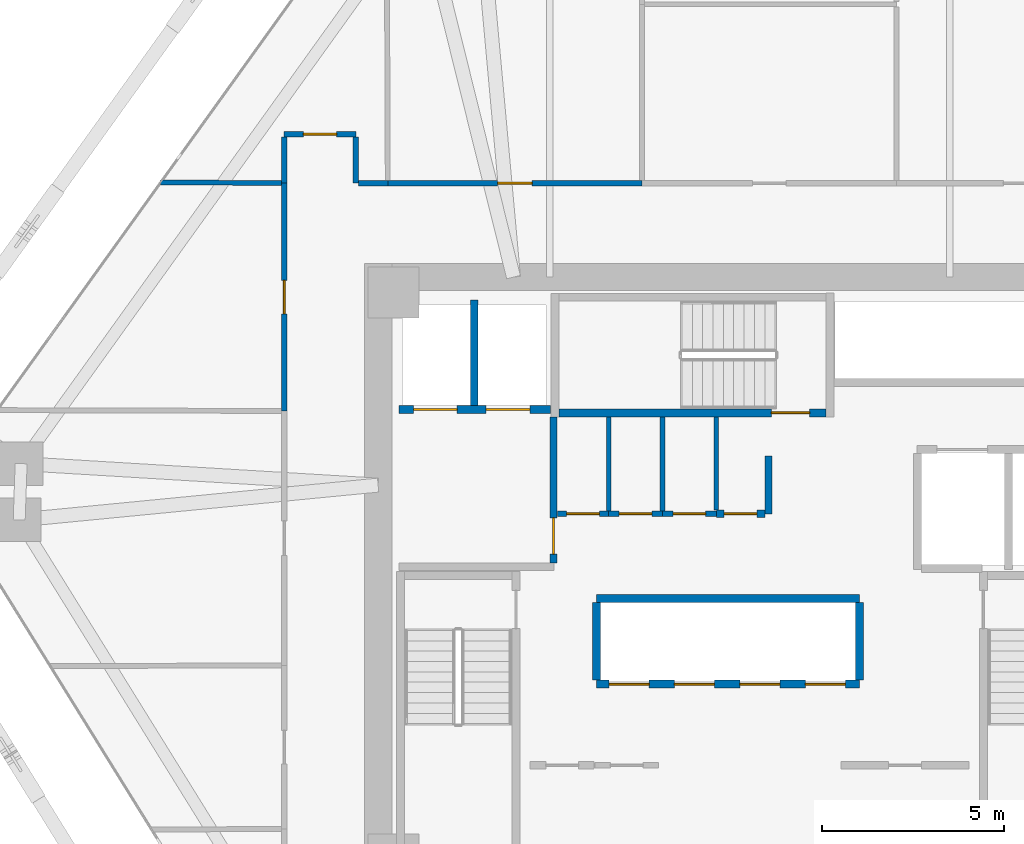
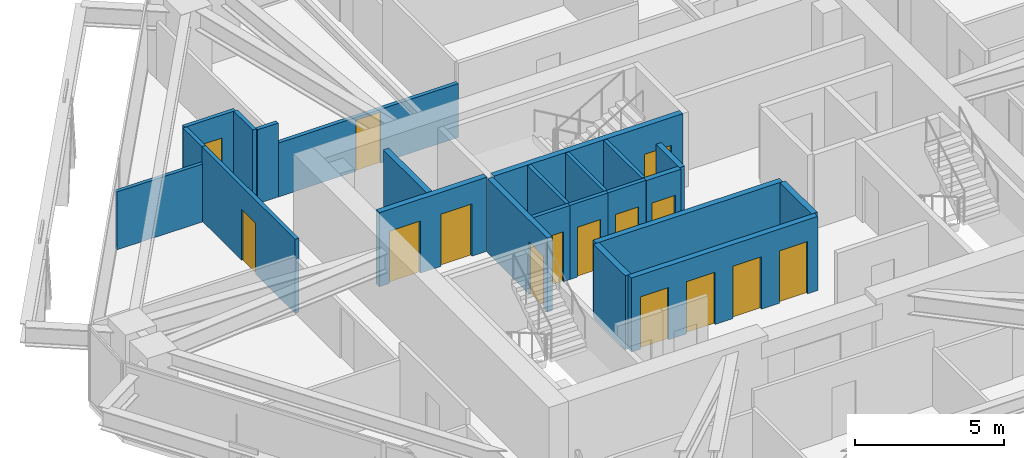
# One storey, part 13 of 16: 23 walls, 15 doors, 15 openings.
"""IFC4 building model written with IfcOpenShell, lengths in metres."""

from ifc_helpers import new_model, si_unit, direction, frame, frame_2d, origin, place, context, subcontext, project, spatial, rectangle, extrude, source, transform, mapped, material, layer, layer_set, type_object, type_shapes, element, fill, save


model = new_model("IFC4")

# Units and contexts
model_context = context("Model", 3, precision=1e-05, world=origin(), true_north=direction((0.0, 1.0)))
body_context = subcontext(model_context, "Body", "Model", "MODEL_VIEW")
ifc_project = project(units=[si_unit("LENGTHUNIT", "METRE"), si_unit("AREAUNIT", "SQUARE_METRE"), si_unit("VOLUMEUNIT", "CUBIC_METRE"), si_unit("PLANEANGLEUNIT", "RADIAN"), si_unit("MASSUNIT", "GRAM", prefix="KILO")], contexts=[model_context])

# Site, building, storey
site_placement = place(None, origin())
site = spatial("IfcSite", under=ifc_project, at=site_placement, CompositionType="ELEMENT")
building_placement = place(site_placement, origin())
building = spatial("IfcBuilding", under=site, at=building_placement, Name="Durnholm Broadcast Tower", CompositionType="ELEMENT")
storey_placement = place(building_placement, frame((0.0, 0.0, 110.699951171875)))
storey = spatial("IfcBuildingStorey", under=building, at=storey_placement, Name="L29", CompositionType="ELEMENT", Elevation=110.699951171875)

# Wall, opening, door
ifc_material_1 = material(Name="Fire-Rated Gypsum Shaftwall", Category="concrete")
ifc_layer_1 = layer(ifc_material_1, 0.199951171875)
ifc_layer_set_1 = layer_set([ifc_layer_1], Name="Fire-Rated Gypsum Shaftwall")
wall_type_1 = type_object("IfcWallType", Name="WALL-LOB-200", PredefinedType="SOLIDWALL", material=ifc_layer_set_1)
wall_1_placement = place(storey_placement, frame((-5.39990234375, 0.35400390625, 0.0), z_axis=(0.0, 0.0, 1.0), x_axis=(0.0, 1.0, 0.0)))
wall_1 = element("IfcWall", 1, at=wall_1_placement, inside=storey, type_object=wall_type_1, Name="L29 Fire Service Access Elevator lobby east fire wall", PredefinedType="SOLIDWALL", context=body_context, shape_type="SweptSolid", body=[
    extrude(rectangle(XDim=4.02587890625, YDim=0.199951171875, at=frame_2d((2.012939453125, 0.0))), origin(), (0.0, 0.0, 1.0), 3.045166015625),
])
opening_1_placement = place(wall_1_placement, frame((0.24609375, 0.0, 0.0)))
opening_1 = element("IfcOpeningElement", 2, at=opening_1_placement, cuts=wall_1, Name="Opening DL-60R", PredefinedType="OPENING", context=body_context, shape_type="SweptSolid", body=[
    extrude(rectangle(XDim=1.0, YDim=2.14990234375, at=frame_2d((0.5, 1.074951171875))), frame((0.0, 0.10986328125, 0.0), z_axis=(0.0, -1.0, 0.0), x_axis=(1.0, 0.0, 0.0)), (0.0, 0.0, 1.0), 0.219970703125),
])
ifc_material_2 = material(Name="Fire-Rated Timber/Steel Door", Category="steel")
ifc_layer_2 = layer(ifc_material_2, 0.050048828125)
ifc_layer_set_2 = layer_set([ifc_layer_2], Name="Fire-Rated Timber/Steel Door")
door_type_1 = type_object("IfcDoorType", Name="DOOR-LOB-FD60-R", OperationType="NOTDEFINED", PredefinedType="DOOR", material=ifc_layer_set_2)
shared_shape_1 = source(origin(), body_context, "Body", "SweptSolid", [
    extrude(rectangle(XDim=1.0, YDim=2.14990234375, at=frame_2d((0.5, 1.074951171875))), frame((0.0, 0.02490234375, 0.0), z_axis=(0.0, -1.0, 0.0), x_axis=(1.0, 0.0, 0.0)), (0.0, 0.0, 1.0), 0.050048828125),
])
type_shapes(door_type_1, [shared_shape_1])
door_1_placement = place(opening_1_placement, origin())
door_1 = element("IfcDoor", 3, at=door_1_placement, inside=storey, type_object=door_type_1, Name="L29 Fire Service Access Elevator lobby smoke door", OperationType="SINGLE_SWING_RIGHT", OverallHeight=2.14990234375, OverallWidth=1.0, PredefinedType="DOOR", context=body_context, shape_type="MappedRepresentation", body=[
    mapped(shared_shape_1, transform((0.0, 0.0, 0.0), x_axis=(1.0, 0.0, 0.0), y_axis=(0.0, 1.0, 0.0), z_axis=(0.0, 0.0, 1.0), scale=1.0)),
])
fill(opening_1, door_1)

# Wall
wall_2_placement = place(storey_placement, frame((0.52001953125, 3.300048828125, 0.0), z_axis=(0.0, 0.0, 1.0), x_axis=(0.0, -1.0, 0.0)))
element("IfcWall", 4, at=wall_2_placement, inside=storey, type_object=wall_type_1, Name="L29 Core Signal Sync Room corridor partition", PredefinedType="SOLIDWALL", context=body_context, shape_type="SweptSolid", body=[
    extrude(rectangle(XDim=1.590087890625, YDim=0.199951171875, at=frame_2d((0.794921875, 0.0))), origin(), (0.0, 0.0, 1.0), 3.045166015625),
])

# Wall, opening, door
wall_3_placement = place(storey_placement, frame((0.416015625, 1.7099609375, 0.0), z_axis=(0.0, 0.0, 1.0), x_axis=(-1.0, 0.0, 0.0)))
wall_3 = element("IfcWall", 5, at=wall_3_placement, inside=storey, type_object=wall_type_1, Name="L29 Core Signal Sync Room corridor partition", PredefinedType="SOLIDWALL", context=body_context, shape_type="SweptSolid", body=[
    extrude(rectangle(XDim=1.3359375, YDim=0.199951171875, at=frame_2d((0.66796875, 0.0))), origin(), (0.0, 0.0, 1.0), 3.045166015625),
])
opening_2_placement = place(wall_3_placement, frame((0.218017578125, 0.0, 0.0)))
opening_2 = element("IfcOpeningElement", 6, at=opening_2_placement, cuts=wall_3, Name="Opening DC-60R", PredefinedType="OPENING", context=body_context, shape_type="SweptSolid", body=[
    extrude(rectangle(XDim=0.89990234375, YDim=2.050048828125, at=frame_2d((0.449951171875, 1.02490234375))), frame((0.0, 0.10986328125, 0.0), z_axis=(0.0, -1.0, 0.0), x_axis=(1.0, 0.0, 0.0)), (0.0, 0.0, 1.0), 0.219970703125),
])
ifc_material_3 = material(Name="Fire-Rated Core Service Door", Category="steel")
ifc_layer_3 = layer(ifc_material_3, 0.050048828125)
ifc_layer_set_3 = layer_set([ifc_layer_3], Name="Fire-Rated Core Service Door")
door_type_2 = type_object("IfcDoorType", Name="DOOR-CORE-FD60-R", OperationType="NOTDEFINED", PredefinedType="DOOR", material=ifc_layer_set_3)
shared_shape_2 = source(origin(), body_context, "Body", "SweptSolid", [
    extrude(rectangle(XDim=0.89990234375, YDim=2.050048828125, at=frame_2d((0.449951171875, 1.02490234375))), frame((0.0, 0.02490234375, 0.0), z_axis=(0.0, -1.0, 0.0), x_axis=(1.0, 0.0, 0.0)), (0.0, 0.0, 1.0), 0.050048828125),
])
type_shapes(door_type_2, [shared_shape_2])
door_2_placement = place(opening_2_placement, origin())
door_2 = element("IfcDoor", 7, at=door_2_placement, inside=storey, type_object=door_type_2, Name="L29 Core Signal Sync Room entrance door", OperationType="SINGLE_SWING_RIGHT", OverallHeight=2.050048828125, OverallWidth=0.89990234375, PredefinedType="DOOR", context=body_context, shape_type="MappedRepresentation", body=[
    mapped(shared_shape_2, transform((0.0, 0.0, 0.0), x_axis=(1.0, 0.0, 0.0), y_axis=(0.0, 1.0, 0.0), z_axis=(0.0, 0.0, 1.0), scale=1.0)),
])
fill(opening_2, door_2)

# Walls
ifc_material_4 = material(Name="Gypsum Metal Stud Partition", Category="concrete")
ifc_layer_4 = layer(ifc_material_4, 0.135009765625)
ifc_layer_set_4 = layer_set([ifc_layer_4], Name="Gypsum Metal Stud Partition")
wall_type_2 = type_object("IfcWallType", Name="WALL-PART-135", PredefinedType="PARTITIONING", material=ifc_layer_set_4)
for number, where, z_axis, x_axis, name in (
    (8, (-3.8798828125, 4.375, 0.0), (0.0, 0.0, 1.0), (0.0, -1.0, 0.0), "L29 room dividing partition 4.5"),
    (9, (-2.39990234375, 4.375, 0.0), (0.0, 0.0, 1.0), (0.0, -1.0, 0.0), "L29 room dividing partition 5.6"),
):
    element("IfcWall", number, at=place(storey_placement, frame(where, z_axis=z_axis, x_axis=x_axis)), inside=storey, type_object=wall_type_2, Name=name, PredefinedType="PARTITIONING", context=body_context, shape_type="SweptSolid", body=[
        extrude(rectangle(XDim=2.5859375, YDim=0.135009765625, at=frame_2d((1.29296875, 0.0))), origin(), (0.0, 0.0, 1.0), 3.045166015625),
    ])
wall_4_placement = place(storey_placement, frame((-0.919921875, 4.375, 0.0), z_axis=(0.0, 0.0, 1.0), x_axis=(0.0, -1.0, 0.0)))
element("IfcWall", 10, at=wall_4_placement, inside=storey, type_object=wall_type_2, Name="L29 room dividing partition 6.7", PredefinedType="PARTITIONING", context=body_context, shape_type="SweptSolid", body=[
    extrude(rectangle(XDim=2.56103515625, YDim=0.135009765625, at=frame_2d((1.280517578125, 0.0))), origin(), (0.0, 0.0, 1.0), 3.045166015625),
])
wall_5_placement = place(storey_placement, frame((-12.888916015625, 10.810546875, 0.0), z_axis=(0.0, 0.0, 1.0), x_axis=(-0.999976657862, 0.006832549348, 0.0)))
element("IfcWall", 11, at=wall_5_placement, inside=storey, type_object=wall_type_2, Name="L29 room dividing partition 11.25", PredefinedType="PARTITIONING", context=body_context, shape_type="SweptSolid", body=[
    extrude(rectangle(XDim=3.322998046875, YDim=0.135009765625, at=frame_2d((1.66162109375, 0.0))), origin(), (0.0, 0.0, 1.0), 2.380126953125),
])

# Wall, opening, door
ifc_material_5 = material(Name="Acoustic Gypsum Stud Partition", Category="concrete")
ifc_layer_5 = layer(ifc_material_5, 0.14990234375)
ifc_layer_set_5 = layer_set([ifc_layer_5], Name="Acoustic Gypsum Stud Partition")
wall_type_3 = type_object("IfcWallType", Name="WALL-PART-150", PredefinedType="PARTITIONING", material=ifc_layer_set_5)
wall_6_placement = place(storey_placement, frame((-3.8798828125, 1.7099609375, 0.0), z_axis=(0.0, 0.0, 1.0), x_axis=(-1.0, 0.0, 0.0)))
wall_6 = element("IfcWall", 12, at=wall_6_placement, inside=storey, type_object=wall_type_3, Name="L29 Core First Aid Store corridor partition", PredefinedType="PARTITIONING", context=body_context, shape_type="SweptSolid", body=[
    extrude(rectangle(XDim=1.416015625, YDim=0.14990234375, at=frame_2d((0.7080078125, 0.0))), origin(), (0.0, 0.0, 1.0), 3.045166015625),
])
opening_3_placement = place(wall_6_placement, frame((0.258056640625, 0.0, 0.0)))
opening_3 = element("IfcOpeningElement", 13, at=opening_3_placement, cuts=wall_6, Name="Opening DC-60L", PredefinedType="OPENING", context=body_context, shape_type="SweptSolid", body=[
    extrude(rectangle(XDim=0.89990234375, YDim=2.050048828125, at=frame_2d((0.449951171875, 1.02490234375))), frame((0.0, 0.0849609375, 0.0), z_axis=(0.0, -1.0, 0.0), x_axis=(1.0, 0.0, 0.0)), (0.0, 0.0, 1.0), 0.169921875),
])
ifc_layer_6 = layer(ifc_material_3, 0.050048828125)
ifc_layer_set_6 = layer_set([ifc_layer_6], Name="Fire-Rated Core Service Door")
door_type_3 = type_object("IfcDoorType", Name="DOOR-CORE-FD60-L", OperationType="NOTDEFINED", PredefinedType="DOOR", material=ifc_layer_set_6)
shared_shape_3 = source(origin(), body_context, "Body", "SweptSolid", [
    extrude(rectangle(XDim=0.89990234375, YDim=2.050048828125, at=frame_2d((0.449951171875, 1.02490234375))), frame((0.0, 0.02490234375, 0.0), z_axis=(0.0, -1.0, 0.0), x_axis=(1.0, 0.0, 0.0)), (0.0, 0.0, 1.0), 0.050048828125),
])
type_shapes(door_type_3, [shared_shape_3])
door_3_placement = place(opening_3_placement, origin())
door_3 = element("IfcDoor", 14, at=door_3_placement, inside=storey, type_object=door_type_3, Name="L29 Core First Aid Store entrance door", OperationType="SINGLE_SWING_LEFT", OverallHeight=2.050048828125, OverallWidth=0.89990234375, PredefinedType="DOOR", context=body_context, shape_type="MappedRepresentation", body=[
    mapped(shared_shape_3, transform((0.0, 0.0, 0.0), x_axis=(1.0, 0.0, 0.0), y_axis=(0.0, 1.0, 0.0), z_axis=(0.0, 0.0, 1.0), scale=1.0)),
])
fill(opening_3, door_3)

wall_7_placement = place(storey_placement, frame((-2.39990234375, 1.7099609375, 0.0), z_axis=(0.0, 0.0, 1.0), x_axis=(-1.0, 0.0, 0.0)))
wall_7 = element("IfcWall", 15, at=wall_7_placement, inside=storey, type_object=wall_type_3, Name="L29 Core Linen Supply Closet corridor partition", PredefinedType="PARTITIONING", context=body_context, shape_type="SweptSolid", body=[
    extrude(rectangle(XDim=1.47998046875, YDim=0.14990234375, at=frame_2d((0.739990234375, 0.0))), origin(), (0.0, 0.0, 1.0), 3.045166015625),
])
opening_4_placement = place(wall_7_placement, frame((0.2900390625, 0.0, 0.0)))
opening_4 = element("IfcOpeningElement", 16, at=opening_4_placement, cuts=wall_7, Name="Opening DC-60R", PredefinedType="OPENING", context=body_context, shape_type="SweptSolid", body=[
    extrude(rectangle(XDim=0.89990234375, YDim=2.050048828125, at=frame_2d((0.449951171875, 1.02490234375))), frame((0.0, 0.0849609375, 0.0), z_axis=(0.0, -1.0, 0.0), x_axis=(1.0, 0.0, 0.0)), (0.0, 0.0, 1.0), 0.169921875),
])
door_4_placement = place(opening_4_placement, origin())
door_4 = element("IfcDoor", 17, at=door_4_placement, inside=storey, type_object=door_type_2, Name="L29 Core Linen Supply Closet entrance door", OperationType="SINGLE_SWING_RIGHT", OverallHeight=2.050048828125, OverallWidth=0.89990234375, PredefinedType="DOOR", context=body_context, shape_type="MappedRepresentation", body=[
    mapped(shared_shape_2, transform((0.0, 0.0, 0.0), x_axis=(1.0, 0.0, 0.0), y_axis=(0.0, 1.0, 0.0), z_axis=(0.0, 0.0, 1.0), scale=1.0)),
])
fill(opening_4, door_4)

wall_8_placement = place(storey_placement, frame((-0.919921875, 1.7099609375, 0.0), z_axis=(0.0, 0.0, 1.0), x_axis=(-1.0, 0.0, 0.0)))
wall_8 = element("IfcWall", 18, at=wall_8_placement, inside=storey, type_object=wall_type_3, Name="L29 Core Safety Gear Store corridor partition", PredefinedType="PARTITIONING", context=body_context, shape_type="SweptSolid", body=[
    extrude(rectangle(XDim=1.47998046875, YDim=0.14990234375, at=frame_2d((0.739990234375, 0.0))), origin(), (0.0, 0.0, 1.0), 3.045166015625),
])
opening_5_placement = place(wall_8_placement, frame((0.2900390625, 0.0, 0.0)))
opening_5 = element("IfcOpeningElement", 19, at=opening_5_placement, cuts=wall_8, Name="Opening DC-60L", PredefinedType="OPENING", context=body_context, shape_type="SweptSolid", body=[
    extrude(rectangle(XDim=0.89990234375, YDim=2.050048828125, at=frame_2d((0.449951171875, 1.02490234375))), frame((0.0, 0.0849609375, 0.0), z_axis=(0.0, -1.0, 0.0), x_axis=(1.0, 0.0, 0.0)), (0.0, 0.0, 1.0), 0.169921875),
])
door_5_placement = place(opening_5_placement, origin())
door_5 = element("IfcDoor", 20, at=door_5_placement, inside=storey, type_object=door_type_3, Name="L29 Core Safety Gear Store entrance door", OperationType="SINGLE_SWING_LEFT", OverallHeight=2.050048828125, OverallWidth=0.89990234375, PredefinedType="DOOR", context=body_context, shape_type="MappedRepresentation", body=[
    mapped(shared_shape_3, transform((0.0, 0.0, 0.0), x_axis=(1.0, 0.0, 0.0), y_axis=(0.0, 1.0, 0.0), z_axis=(0.0, 0.0, 1.0), scale=1.0)),
])
fill(opening_5, door_5)

wall_9_placement = place(storey_placement, frame((-10.840087890625, 12.159912109375, 0.0), z_axis=(0.0, 0.0, 1.0), x_axis=(-1.0, 0.0, 0.0)))
wall_9 = element("IfcWall", 21, at=wall_9_placement, inside=storey, type_object=wall_type_3, Name="L29 VFX Office 1 corridor partition", PredefinedType="PARTITIONING", context=body_context, shape_type="SweptSolid", body=[
    extrude(rectangle(XDim=1.969970703125, YDim=0.14990234375, at=frame_2d((0.98486328125, 0.0))), origin(), (0.0, 0.0, 1.0), 3.045166015625),
])
opening_6_placement = place(wall_9_placement, frame((0.52490234375, 0.0, 0.0)))
opening_6 = element("IfcOpeningElement", 22, at=opening_6_placement, cuts=wall_9, Name="Opening DR-92R", PredefinedType="OPENING", context=body_context, shape_type="SweptSolid", body=[
    extrude(rectangle(XDim=0.919921875, YDim=2.10009765625, at=frame_2d((0.4599609375, 1.050048828125))), frame((0.0, 0.0849609375, 0.0), z_axis=(0.0, -1.0, 0.0), x_axis=(1.0, 0.0, 0.0)), (0.0, 0.0, 1.0), 0.169921875),
])
ifc_material_6 = material(Name="Oak Veneer Office Door", Category="wood")
ifc_layer_7 = layer(ifc_material_6, 0.050048828125)
ifc_layer_set_7 = layer_set([ifc_layer_7], Name="Oak Veneer Office Door")
door_type_4 = type_object("IfcDoorType", Name="DOOR-RM-920R", OperationType="NOTDEFINED", PredefinedType="DOOR", material=ifc_layer_set_7)
shared_shape_4 = source(origin(), body_context, "Body", "SweptSolid", [
    extrude(rectangle(XDim=0.919921875, YDim=2.10009765625, at=frame_2d((0.4599609375, 1.050048828125))), frame((0.0, 0.02490234375, 0.0), z_axis=(0.0, -1.0, 0.0), x_axis=(1.0, 0.0, 0.0)), (0.0, 0.0, 1.0), 0.050048828125),
])
type_shapes(door_type_4, [shared_shape_4])
door_6_placement = place(opening_6_placement, origin())
door_6 = element("IfcDoor", 23, at=door_6_placement, inside=storey, type_object=door_type_4, Name="L29 VFX Office 1 entrance door", OperationType="SINGLE_SWING_RIGHT", OverallHeight=2.10009765625, OverallWidth=0.919921875, PredefinedType="DOOR", context=body_context, shape_type="MappedRepresentation", body=[
    mapped(shared_shape_4, transform((0.0, 0.0, 0.0), x_axis=(1.0, 0.0, 0.0), y_axis=(0.0, 1.0, 0.0), z_axis=(0.0, 0.0, 1.0), scale=1.0)),
])
fill(opening_6, door_6)

# Walls
for number, where, z_axis, x_axis, name in (
    (24, (-10.840087890625, 10.81005859375, 0.0), (0.0, 0.0, 1.0), (0.0, 1.0, 0.0), "L29 VFX Office 1 corridor partition"),
    (25, (-12.81005859375, 12.0810546875, 0.0), (0.0, 0.0, 1.0), (0.0, -1.0, 0.0), "L29 VFX Office 1 corridor partition"),
):
    element("IfcWall", number, at=place(storey_placement, frame(where, z_axis=z_axis, x_axis=x_axis)), inside=storey, type_object=wall_type_3, Name=name, PredefinedType="PARTITIONING", context=body_context, shape_type="SweptSolid", body=[
        extrude(rectangle(XDim=1.27099609375, YDim=0.14990234375, at=frame_2d((0.635498046875, 0.0))), origin(), (0.0, 0.0, 1.0), 3.045166015625),
    ])
wall_10_placement = place(storey_placement, frame((-9.9599609375, 10.81005859375, 0.0), z_axis=(0.0, 0.0, 1.0), x_axis=(-1.0, 0.0, 0.0)))
element("IfcWall", 26, at=wall_10_placement, inside=storey, type_object=wall_type_3, Name="L29 VFX Office 1 corridor partition", PredefinedType="PARTITIONING", context=body_context, shape_type="SweptSolid", body=[
    extrude(rectangle(XDim=0.801025390625, YDim=0.14990234375, at=frame_2d((0.400390625, 0.0))), origin(), (0.0, 0.0, 1.0), 3.045166015625),
])

# Wall, opening, door
wall_11_placement = place(storey_placement, frame((-2.9599609375, 10.81005859375, 0.0), z_axis=(0.0, 0.0, 1.0), x_axis=(-1.0, 0.0, 0.0)))
wall_11 = element("IfcWall", 27, at=wall_11_placement, inside=storey, type_object=wall_type_3, Name="L29 VFX Office 2 corridor partition", PredefinedType="PARTITIONING", context=body_context, shape_type="SweptSolid", body=[
    extrude(rectangle(XDim=7.0, YDim=0.14990234375, at=frame_2d((3.5, 0.0))), origin(), (0.0, 0.0, 1.0), 2.212158203125),
])
opening_7_placement = place(wall_11_placement, frame((3.02490234375, 0.0, 0.0)))
opening_7 = element("IfcOpeningElement", 28, at=opening_7_placement, cuts=wall_11, Name="Opening DR-95L", PredefinedType="OPENING", context=body_context, shape_type="SweptSolid", body=[
    extrude(rectangle(XDim=0.949951171875, YDim=2.10009765625, at=frame_2d((0.47509765625, 1.050048828125))), frame((0.0, 0.0849609375, 0.0), z_axis=(0.0, -1.0, 0.0), x_axis=(1.0, 0.0, 0.0)), (0.0, 0.0, 1.0), 0.169921875),
])
ifc_material_7 = material(Name="Acoustic Oak Veneer Timber Door", Category="wood")
ifc_layer_8 = layer(ifc_material_7, 0.050048828125)
ifc_layer_set_8 = layer_set([ifc_layer_8], Name="Acoustic Oak Veneer Timber Door")
door_type_5 = type_object("IfcDoorType", Name="DOOR-RM-950L", OperationType="NOTDEFINED", PredefinedType="DOOR", material=ifc_layer_set_8)
shared_shape_5 = source(origin(), body_context, "Body", "SweptSolid", [
    extrude(rectangle(XDim=0.949951171875, YDim=2.10009765625, at=frame_2d((0.47509765625, 1.050048828125))), frame((0.0, 0.02490234375, 0.0), z_axis=(0.0, -1.0, 0.0), x_axis=(1.0, 0.0, 0.0)), (0.0, 0.0, 1.0), 0.050048828125),
])
type_shapes(door_type_5, [shared_shape_5])
door_7_placement = place(opening_7_placement, origin())
door_7 = element("IfcDoor", 29, at=door_7_placement, inside=storey, type_object=door_type_5, Name="L29 VFX Office 2 entrance door", OperationType="SINGLE_SWING_LEFT", OverallHeight=2.10009765625, OverallWidth=0.949951171875, PredefinedType="DOOR", context=body_context, shape_type="MappedRepresentation", body=[
    mapped(shared_shape_5, transform((0.0, 0.0, 0.0), x_axis=(1.0, 0.0, 0.0), y_axis=(0.0, 1.0, 0.0), z_axis=(0.0, 0.0, 1.0), scale=1.0)),
])
fill(opening_7, door_7)

wall_12_placement = place(storey_placement, frame((-12.81005859375, 10.81005859375, 0.0), z_axis=(0.0, 0.0, 1.0), x_axis=(0.0, -1.0, 0.0)))
wall_12 = element("IfcWall", 30, at=wall_12_placement, inside=storey, type_object=wall_type_3, Name="L29 Colorist Office corridor partition", PredefinedType="PARTITIONING", context=body_context, shape_type="SweptSolid", body=[
    extrude(rectangle(XDim=6.27001953125, YDim=0.14990234375, at=frame_2d((3.135009765625, 0.0))), origin(), (0.0, 0.0, 1.0), 3.045166015625),
])
opening_8_placement = place(wall_12_placement, frame((2.675048828125, 0.0, 0.0)))
opening_8 = element("IfcOpeningElement", 31, at=opening_8_placement, cuts=wall_12, Name="Opening DR-92R", PredefinedType="OPENING", context=body_context, shape_type="SweptSolid", body=[
    extrude(rectangle(XDim=0.919921875, YDim=2.10009765625, at=frame_2d((0.4599609375, 1.050048828125))), frame((0.0, 0.0849609375, 0.0), z_axis=(0.0, -1.0, 0.0), x_axis=(1.0, 0.0, 0.0)), (0.0, 0.0, 1.0), 0.169921875),
])
door_8_placement = place(opening_8_placement, origin())
door_8 = element("IfcDoor", 32, at=door_8_placement, inside=storey, type_object=door_type_4, Name="L29 Colorist Office entrance door", OperationType="SINGLE_SWING_RIGHT", OverallHeight=2.10009765625, OverallWidth=0.919921875, PredefinedType="DOOR", context=body_context, shape_type="MappedRepresentation", body=[
    mapped(shared_shape_4, transform((0.0, 0.0, 0.0), x_axis=(1.0, 0.0, 0.0), y_axis=(0.0, 1.0, 0.0), z_axis=(0.0, 0.0, 1.0), scale=1.0)),
])
fill(opening_8, door_8)

# Wall, openings, doors
ifc_material_8 = material(Name="Concrete Blockwork C30/37", Category="masonry")
ifc_layer_9 = layer(ifc_material_8, 0.219970703125)
ifc_layer_set_9 = layer_set([ifc_layer_9], Name="Concrete Blockwork C30/37")
wall_type_4 = type_object("IfcWallType", Name="WALL-SHAFT-220", PredefinedType="SOLIDWALL", material=ifc_layer_set_9)
wall_13_placement = place(storey_placement, frame((-9.64990234375, 4.580078125, 0.0), z_axis=(0.0, 0.0, 1.0), x_axis=(1.0, 0.0, 0.0)))
wall_13 = element("IfcWall", 33, at=wall_13_placement, inside=storey, type_object=wall_type_4, Name="L29 FSAE hoistway front fire wall", PredefinedType="SOLIDWALL", context=body_context, shape_type="SweptSolid", body=[
    extrude(rectangle(XDim=4.1748046875, YDim=0.219970703125, at=frame_2d((2.08740234375, 0.0))), origin(), (0.0, 0.0, 1.0), 3.045166015625),
])
opening_9_placement = place(wall_13_placement, frame((0.39990234375, 0.0, 0.0)))
opening_9 = element("IfcOpeningElement", 34, at=opening_9_placement, cuts=wall_13, Name="Opening LD-FSAE-2", PredefinedType="OPENING", context=body_context, shape_type="SweptSolid", body=[
    extrude(rectangle(XDim=1.199951171875, YDim=2.14990234375, at=frame_2d((0.60009765625, 1.074951171875))), frame((0.0, 0.1201171875, 0.0), z_axis=(0.0, -1.0, 0.0), x_axis=(1.0, 0.0, 0.0)), (0.0, 0.0, 1.0), 0.239990234375),
])
opening_10_placement = place(wall_13_placement, frame((2.39990234375, 0.0, 0.0)))
opening_10 = element("IfcOpeningElement", 35, at=opening_10_placement, cuts=wall_13, Name="Opening LD-FSAE-1", PredefinedType="OPENING", context=body_context, shape_type="SweptSolid", body=[
    extrude(rectangle(XDim=1.199951171875, YDim=2.14990234375, at=frame_2d((0.60009765625, 1.074951171875))), frame((0.0, 0.1201171875, 0.0), z_axis=(0.0, -1.0, 0.0), x_axis=(1.0, 0.0, 0.0)), (0.0, 0.0, 1.0), 0.239990234375),
])
ifc_material_9 = material(Name="Fire Service Access Sliding Landing Door", Category="steel")
ifc_layer_10 = layer(ifc_material_9, 0.050048828125)
ifc_layer_set_10 = layer_set([ifc_layer_10], Name="Fire Service Access Sliding Landing Door")
door_type_6 = type_object("IfcDoorType", Name="DOOR-LIFT-FSAE", OperationType="DOUBLE_DOOR_SLIDING", PredefinedType="DOOR", material=ifc_layer_set_10)
shared_shape_6 = source(origin(), body_context, "Body", "SweptSolid", [
    extrude(rectangle(XDim=1.199951171875, YDim=2.14990234375, at=frame_2d((0.60009765625, 1.074951171875))), frame((0.0, 0.02490234375, 0.0), z_axis=(0.0, -1.0, 0.0), x_axis=(1.0, 0.0, 0.0)), (0.0, 0.0, 1.0), 0.050048828125),
])
type_shapes(door_type_6, [shared_shape_6])
door_9_placement = place(opening_9_placement, origin())
door_9 = element("IfcDoor", 36, at=door_9_placement, inside=storey, type_object=door_type_6, Name="L29 Fire Service Access Elevator FSAE-2 sliding landing door", OperationType="DOUBLE_DOOR_SLIDING", OverallHeight=2.14990234375, OverallWidth=1.199951171875, PredefinedType="DOOR", context=body_context, shape_type="MappedRepresentation", body=[
    mapped(shared_shape_6, transform((0.0, 0.0, 0.0), x_axis=(1.0, 0.0, 0.0), y_axis=(0.0, 1.0, 0.0), z_axis=(0.0, 0.0, 1.0), scale=1.0)),
])
fill(opening_9, door_9)
door_10_placement = place(opening_10_placement, origin())
door_10 = element("IfcDoor", 37, at=door_10_placement, inside=storey, type_object=door_type_6, Name="L29 Fire Service Access Elevator FSAE-1 sliding landing door", OperationType="DOUBLE_DOOR_SLIDING", OverallHeight=2.14990234375, OverallWidth=1.199951171875, PredefinedType="DOOR", context=body_context, shape_type="MappedRepresentation", body=[
    mapped(shared_shape_6, transform((0.0, 0.0, 0.0), x_axis=(1.0, 0.0, 0.0), y_axis=(0.0, 1.0, 0.0), z_axis=(0.0, 0.0, 1.0), scale=1.0)),
])
fill(opening_10, door_10)

# Wall
wall_14_placement = place(storey_placement, frame((-7.580078125, 4.694091796875, 0.0), z_axis=(0.0, 0.0, 1.0), x_axis=(0.0, 1.0, 0.0)))
element("IfcWall", 38, at=wall_14_placement, inside=storey, type_object=wall_type_4, Name="L29 FSAE shaft divider wall", PredefinedType="SOLIDWALL", context=body_context, shape_type="SweptSolid", body=[
    extrude(rectangle(XDim=2.906005859375, YDim=0.219970703125, at=frame_2d((1.453125, 0.0))), origin(), (0.0, 0.0, 1.0), 3.045166015625),
])

# Wall, openings, doors
wall_15_placement = place(storey_placement, frame((-4.219970703125, -2.97998046875, 0.0), z_axis=(0.0, 0.0, 1.0), x_axis=(1.0, 0.0, 0.0)))
wall_15 = element("IfcWall", 39, at=wall_15_placement, inside=storey, type_object=wall_type_4, Name="L29 mid-rise bank P2 south front wall", PredefinedType="SOLIDWALL", context=body_context, shape_type="SweptSolid", body=[
    extrude(rectangle(XDim=7.239990234375, YDim=0.219970703125, at=frame_2d((3.6201171875, 0.0))), origin(), (0.0, 0.0, 1.0), 3.045166015625),
])
opening_11_placement = place(wall_15_placement, frame((0.35009765625, 0.0, 0.0)))
opening_11 = element("IfcOpeningElement", 40, at=opening_11_placement, cuts=wall_15, Name="Opening LD-LP2-1", PredefinedType="OPENING", context=body_context, shape_type="SweptSolid", body=[
    extrude(rectangle(XDim=1.10009765625, YDim=2.14990234375, at=frame_2d((0.550048828125, 1.074951171875))), frame((0.0, 0.1201171875, 0.0), z_axis=(0.0, -1.0, 0.0), x_axis=(1.0, 0.0, 0.0)), (0.0, 0.0, 1.0), 0.239990234375),
])
opening_12_placement = place(wall_15_placement, frame((2.14990234375, 0.0, 0.0)))
opening_12 = element("IfcOpeningElement", 41, at=opening_12_placement, cuts=wall_15, Name="Opening LD-LP2-2", PredefinedType="OPENING", context=body_context, shape_type="SweptSolid", body=[
    extrude(rectangle(XDim=1.10009765625, YDim=2.14990234375, at=frame_2d((0.550048828125, 1.074951171875))), frame((0.0, 0.1201171875, 0.0), z_axis=(0.0, -1.0, 0.0), x_axis=(1.0, 0.0, 0.0)), (0.0, 0.0, 1.0), 0.239990234375),
])
opening_13_placement = place(wall_15_placement, frame((3.949951171875, 0.0, 0.0)))
opening_13 = element("IfcOpeningElement", 42, at=opening_13_placement, cuts=wall_15, Name="Opening LD-LP2-3", PredefinedType="OPENING", context=body_context, shape_type="SweptSolid", body=[
    extrude(rectangle(XDim=1.10009765625, YDim=2.14990234375, at=frame_2d((0.550048828125, 1.074951171875))), frame((0.0, 0.1201171875, 0.0), z_axis=(0.0, -1.0, 0.0), x_axis=(1.0, 0.0, 0.0)), (0.0, 0.0, 1.0), 0.239990234375),
])
opening_14_placement = place(wall_15_placement, frame((5.75, 0.0, 0.0)))
opening_14 = element("IfcOpeningElement", 43, at=opening_14_placement, cuts=wall_15, Name="Opening LD-LP2-4", PredefinedType="OPENING", context=body_context, shape_type="SweptSolid", body=[
    extrude(rectangle(XDim=1.10009765625, YDim=2.14990234375, at=frame_2d((0.550048828125, 1.074951171875))), frame((0.0, 0.1201171875, 0.0), z_axis=(0.0, -1.0, 0.0), x_axis=(1.0, 0.0, 0.0)), (0.0, 0.0, 1.0), 0.239990234375),
])
ifc_material_10 = material(Name="Stainless Steel Sliding Elevator Landing Door", Category="steel")
ifc_layer_11 = layer(ifc_material_10, 0.050048828125)
ifc_layer_set_11 = layer_set([ifc_layer_11], Name="Stainless Steel Sliding Elevator Landing Door")
door_type_7 = type_object("IfcDoorType", Name="DOOR-LIFT-PAX", OperationType="DOUBLE_DOOR_SLIDING", PredefinedType="DOOR", material=ifc_layer_set_11)
shared_shape_7 = source(origin(), body_context, "Body", "SweptSolid", [
    extrude(rectangle(XDim=1.10009765625, YDim=2.14990234375, at=frame_2d((0.550048828125, 1.074951171875))), frame((0.0, 0.02490234375, 0.0), z_axis=(0.0, -1.0, 0.0), x_axis=(1.0, 0.0, 0.0)), (0.0, 0.0, 1.0), 0.050048828125),
])
type_shapes(door_type_7, [shared_shape_7])
door_11_placement = place(opening_11_placement, origin())
door_11 = element("IfcDoor", 44, at=door_11_placement, inside=storey, type_object=door_type_7, Name="L29 passenger elevator LP2-1 sliding landing door", OperationType="DOUBLE_DOOR_SLIDING", OverallHeight=2.14990234375, OverallWidth=1.10009765625, PredefinedType="DOOR", context=body_context, shape_type="MappedRepresentation", body=[
    mapped(shared_shape_7, transform((0.0, 0.0, 0.0), x_axis=(1.0, 0.0, 0.0), y_axis=(0.0, 1.0, 0.0), z_axis=(0.0, 0.0, 1.0), scale=1.0)),
])
fill(opening_11, door_11)
door_12_placement = place(opening_12_placement, origin())
door_12 = element("IfcDoor", 45, at=door_12_placement, inside=storey, type_object=door_type_7, Name="L29 passenger elevator LP2-2 sliding landing door", OperationType="DOUBLE_DOOR_SLIDING", OverallHeight=2.14990234375, OverallWidth=1.10009765625, PredefinedType="DOOR", context=body_context, shape_type="MappedRepresentation", body=[
    mapped(shared_shape_7, transform((0.0, 0.0, 0.0), x_axis=(1.0, 0.0, 0.0), y_axis=(0.0, 1.0, 0.0), z_axis=(0.0, 0.0, 1.0), scale=1.0)),
])
fill(opening_12, door_12)
door_13_placement = place(opening_13_placement, origin())
door_13 = element("IfcDoor", 46, at=door_13_placement, inside=storey, type_object=door_type_7, Name="L29 passenger elevator LP2-3 sliding landing door", OperationType="DOUBLE_DOOR_SLIDING", OverallHeight=2.14990234375, OverallWidth=1.10009765625, PredefinedType="DOOR", context=body_context, shape_type="MappedRepresentation", body=[
    mapped(shared_shape_7, transform((0.0, 0.0, 0.0), x_axis=(1.0, 0.0, 0.0), y_axis=(0.0, 1.0, 0.0), z_axis=(0.0, 0.0, 1.0), scale=1.0)),
])
fill(opening_13, door_13)
door_14_placement = place(opening_14_placement, origin())
door_14 = element("IfcDoor", 47, at=door_14_placement, inside=storey, type_object=door_type_7, Name="L29 passenger elevator LP2-4 sliding landing door", OperationType="DOUBLE_DOOR_SLIDING", OverallHeight=2.14990234375, OverallWidth=1.10009765625, PredefinedType="DOOR", context=body_context, shape_type="MappedRepresentation", body=[
    mapped(shared_shape_7, transform((0.0, 0.0, 0.0), x_axis=(1.0, 0.0, 0.0), y_axis=(0.0, 1.0, 0.0), z_axis=(0.0, 0.0, 1.0), scale=1.0)),
])
fill(opening_14, door_14)

# Walls
wall_16_placement = place(storey_placement, frame((-4.219970703125, -0.6201171875, 0.0), z_axis=(0.0, 0.0, 1.0), x_axis=(1.0, 0.0, 0.0)))
element("IfcWall", 48, at=wall_16_placement, inside=storey, type_object=wall_type_4, Name="L29 mid-rise bank P2 north shaft wall", PredefinedType="SOLIDWALL", context=body_context, shape_type="SweptSolid", body=[
    extrude(rectangle(XDim=7.239990234375, YDim=0.219970703125, at=frame_2d((3.6201171875, 0.0))), origin(), (0.0, 0.0, 1.0), 3.045166015625),
])
for number, where, z_axis, x_axis, name in (
    (49, (-4.219970703125, -2.865966796875, 0.0), (0.0, 0.0, 1.0), (0.0, 1.0, 0.0), "L29 mid-rise bank P2 west shaft wall"),
    (50, (3.02001953125, -2.865966796875, 0.0), (0.0, 0.0, 1.0), (0.0, 1.0, 0.0), "L29 mid-rise bank P2 east shaft wall"),
):
    element("IfcWall", number, at=place(storey_placement, frame(where, z_axis=z_axis, x_axis=x_axis)), inside=storey, type_object=wall_type_4, Name=name, PredefinedType="SOLIDWALL", context=body_context, shape_type="SweptSolid", body=[
        extrude(rectangle(XDim=2.132080078125, YDim=0.219970703125, at=frame_2d((1.06591796875, 0.0))), origin(), (0.0, 0.0, 1.0), 3.045166015625),
    ])

# Wall, opening, door
ifc_material_11 = material(Name="Concrete C50/60", Category="concrete")
ifc_layer_12 = layer(ifc_material_11, 0.219970703125)
ifc_layer_set_12 = layer_set([ifc_layer_12], Name="Concrete C50/60")
wall_type_5 = type_object("IfcWallType", Name="WALL-SW-220", PredefinedType="SHEAR", material=ifc_layer_set_12)
wall_17_placement = place(storey_placement, frame((-5.25, 4.489990234375, -0.239990234375), z_axis=(0.0, 0.0, 1.0), x_axis=(1.0, 0.0, 0.0)))
wall_17 = element("IfcWall", 51, at=wall_17_placement, inside=storey, type_object=wall_type_5, Name="L29 stair ST-3 structural shaft wall S", PredefinedType="SHEAR", context=body_context, shape_type="SweptSolid", body=[
    extrude(rectangle(XDim=7.35009765625, YDim=0.219970703125, at=frame_2d((3.675048828125, 0.0))), origin(), (0.0, 0.0, 1.0), 3.300048828125),
])
opening_15_placement = place(wall_17_placement, frame((5.85009765625, 0.0, 0.0)))
opening_15 = element("IfcOpeningElement", 52, at=opening_15_placement, cuts=wall_17, Name="Opening DS-90L", PredefinedType="OPENING", context=body_context, shape_type="SweptSolid", body=[
    extrude(rectangle(XDim=1.050048828125, YDim=2.14990234375, at=frame_2d((0.52490234375, 1.074951171875))), frame((0.0, 0.1201171875, 0.0), z_axis=(0.0, -1.0, 0.0), x_axis=(1.0, 0.0, 0.0)), (0.0, 0.0, 1.0), 0.239990234375),
])
ifc_material_12 = material(Name="Fire-Rated Steel Door", Category="steel")
ifc_layer_13 = layer(ifc_material_12, 0.050048828125)
ifc_layer_set_13 = layer_set([ifc_layer_13], Name="Fire-Rated Steel Door")
door_type_8 = type_object("IfcDoorType", Name="DOOR-ST-FD90-L", OperationType="NOTDEFINED", PredefinedType="DOOR", material=ifc_layer_set_13)
shared_shape_8 = source(origin(), body_context, "Body", "SweptSolid", [
    extrude(rectangle(XDim=1.050048828125, YDim=2.14990234375, at=frame_2d((0.52490234375, 1.074951171875))), frame((0.0, 0.02490234375, 0.0), z_axis=(0.0, -1.0, 0.0), x_axis=(1.0, 0.0, 0.0)), (0.0, 0.0, 1.0), 0.050048828125),
])
type_shapes(door_type_8, [shared_shape_8])
door_15_placement = place(opening_15_placement, origin())
door_15 = element("IfcDoor", 53, at=door_15_placement, inside=storey, type_object=door_type_8, Name="L29 exit stair ST-3 fire door", OperationType="SINGLE_SWING_LEFT", OverallHeight=2.14990234375, OverallWidth=1.050048828125, PredefinedType="DOOR", context=body_context, shape_type="MappedRepresentation", body=[
    mapped(shared_shape_8, transform((0.0, 0.0, 0.0), x_axis=(1.0, 0.0, 0.0), y_axis=(0.0, 1.0, 0.0), z_axis=(0.0, 0.0, 1.0), scale=1.0)),
])
fill(opening_15, door_15)

save(model, "model.ifc")
